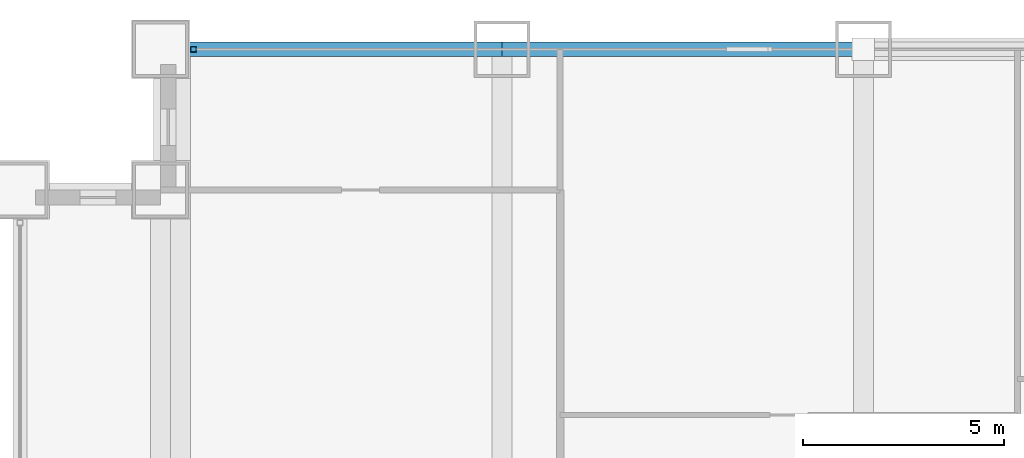
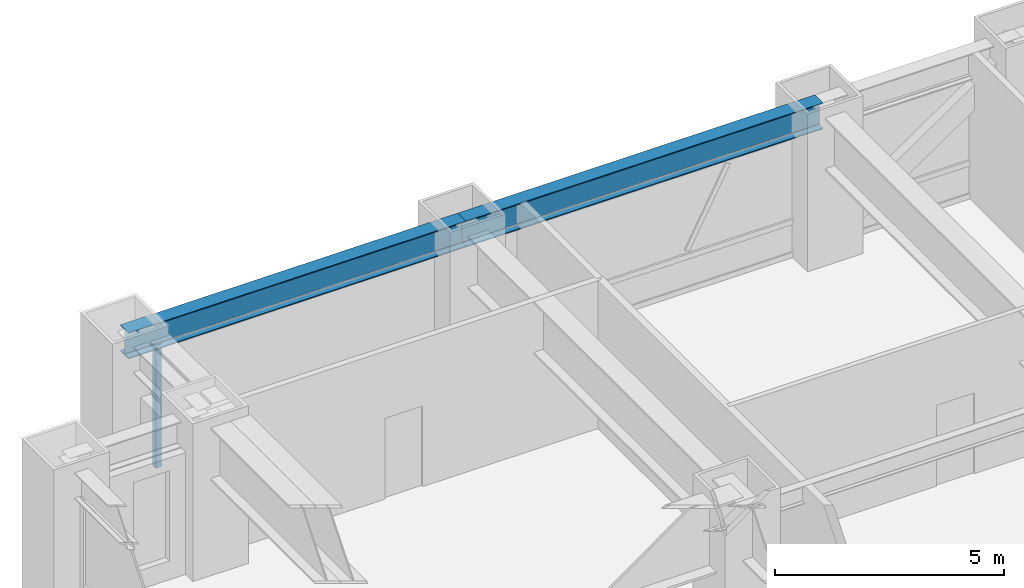
# One storey, part 17 of 29: 2 beams, 1 member, 1 element without a shape of its own.
"""IFC4 building model written with IfcOpenShell, lengths in metres."""

from ifc_helpers import new_model, si_unit, direction, frame, origin, origin_2d, place, context, subcontext, project, spatial, hollow_rectangle, i_section, extrude, source, transform, mapped, material, material_profile, profile_set, type_object, element, aggregate, save


model = new_model("IFC4")

# Units and contexts
model_context = context("Model", 3, precision=1e-05, world=origin(), true_north=direction((0.0, 1.0)))
body_context = subcontext(model_context, "Body", "Model", "MODEL_VIEW")
ifc_project = project(units=[si_unit("LENGTHUNIT", "METRE"), si_unit("AREAUNIT", "SQUARE_METRE"), si_unit("VOLUMEUNIT", "CUBIC_METRE"), si_unit("PLANEANGLEUNIT", "RADIAN"), si_unit("MASSUNIT", "GRAM", prefix="KILO")], contexts=[model_context])

# Site, building, storey
site_placement = place(None, origin())
site = spatial("IfcSite", under=ifc_project, at=site_placement, CompositionType="ELEMENT")
building_placement = place(site_placement, origin())
building = spatial("IfcBuilding", under=site, at=building_placement, Name="Khorayat Bourse Tower", CompositionType="ELEMENT")
storey_placement = place(building_placement, frame((0.0, 0.0, 87.199951171875)))
storey = spatial("IfcBuildingStorey", under=building, at=storey_placement, Name="L19", CompositionType="ELEMENT", Elevation=87.199951171875)

# Beams
ifc_material_1 = material(Name="Steel ASTM A992 Grade 50", Category="steel")
ifc_material_profile_1 = material_profile(ifc_material_1, i_section(OverallWidth=0.35498046875, OverallDepth=0.695068359375, WebThickness=0.015380859375, FlangeThickness=0.02490234375, FilletRadius=0.01806640625, at=origin_2d()), Name="W690X217")
ifc_profile_set_1 = profile_set([ifc_material_profile_1], Name="Steel ASTM A992 Grade 50")
beam_type = type_object("IfcBeamType", Name="BM-SPAN-690", PredefinedType="SPANDREL", material=ifc_profile_set_1)
shared_shape_1 = source(origin(), body_context, "Body", "SweptSolid", [
    extrude(i_section(OverallWidth=0.35498046875, OverallDepth=0.695068359375, WebThickness=0.015380859375, FlangeThickness=0.02490234375, FilletRadius=0.01806640625, at=origin_2d()), origin(), (0.0, 0.0, 1.0), 8.5),
])
beam_1_placement = place(storey_placement, frame((-28.5, 32.0, 3.592529296875), z_axis=(1.0, 0.0, 0.0), x_axis=(0.0, 1.0, 0.0)))
element("IfcBeam", 1, at=beam_1_placement, inside=storey, type_object=beam_type, Name="L19 BM-SPAN-690 BM-L19-SPN-051", PredefinedType="SPANDREL", context=body_context, shape_type="MappedRepresentation", body=[
    mapped(shared_shape_1, transform((0.0, 0.0, 0.0), scale=1.0)),
])
shared_shape_2 = source(origin(), body_context, "Body", "SweptSolid", [
    extrude(i_section(OverallWidth=0.35498046875, OverallDepth=0.695068359375, WebThickness=0.015380859375, FlangeThickness=0.02490234375, FilletRadius=0.01806640625, at=origin_2d()), origin(), (0.0, 0.0, 1.0), 9.0),
])
beam_2_placement = place(storey_placement, frame((-20.0, 32.0, 3.592529296875), z_axis=(1.0, 0.0, 0.0), x_axis=(0.0, 1.0, 0.0)))
element("IfcBeam", 2, at=beam_2_placement, inside=storey, type_object=beam_type, Name="L19 BM-SPAN-690 BM-L19-SPN-050", PredefinedType="SPANDREL", context=body_context, shape_type="MappedRepresentation", body=[
    mapped(shared_shape_2, transform((0.0, 0.0, 0.0), scale=1.0)),
])

# Curtain wall, member
ifc_material_2 = material(Name="Aluminium EN AW-6063 T6", Category="aluminium")
curtain_wall_type = type_object("IfcCurtainWallType", Name="CW-SYS-02", PredefinedType="NOTDEFINED", material=ifc_material_2)
curtain_wall_placement = place(storey_placement, origin())
curtain_wall = element("IfcCurtainWall", 3, at=curtain_wall_placement, inside=storey, type_object=curtain_wall_type, Name="L19 Curtain Wall CW-L19-N1", PredefinedType="NOTDEFINED")
ifc_material_profile_2 = material_profile(ifc_material_2, hollow_rectangle(XDim=0.139892578125, YDim=0.139892578125, WallThickness=0.006103515625, at=origin_2d()), Name="ALU 140x140x6")
ifc_profile_set_2 = profile_set([ifc_material_profile_2], Name="Aluminium EN AW-6063 T6")
member_type = type_object("IfcMemberType", Name="CWM-VERT-140", PredefinedType="MULLION", material=ifc_profile_set_2)
shared_shape_3 = source(origin(), body_context, "Body", "SweptSolid", [
    extrude(hollow_rectangle(XDim=0.139892578125, YDim=0.139892578125, WallThickness=0.006103515625, at=origin_2d()), origin(), (0.0, 0.0, 1.0), 3.2900390625),
])
member_placement = place(storey_placement, frame((-27.679931640625, 32.0, 0.0), z_axis=(0.0, 0.0, 1.0), x_axis=(0.0, 1.0, 0.0)))
member = element("IfcMember", 4, at=member_placement, type_object=member_type, Name="CW-L19-N1 Vertical Mullion 1", PredefinedType="MULLION", context=body_context, shape_type="MappedRepresentation", body=[
    mapped(shared_shape_3, transform((0.0, 0.0, 0.0), scale=1.0)),
])
aggregate(curtain_wall, [member])

save(model, "model.ifc")
